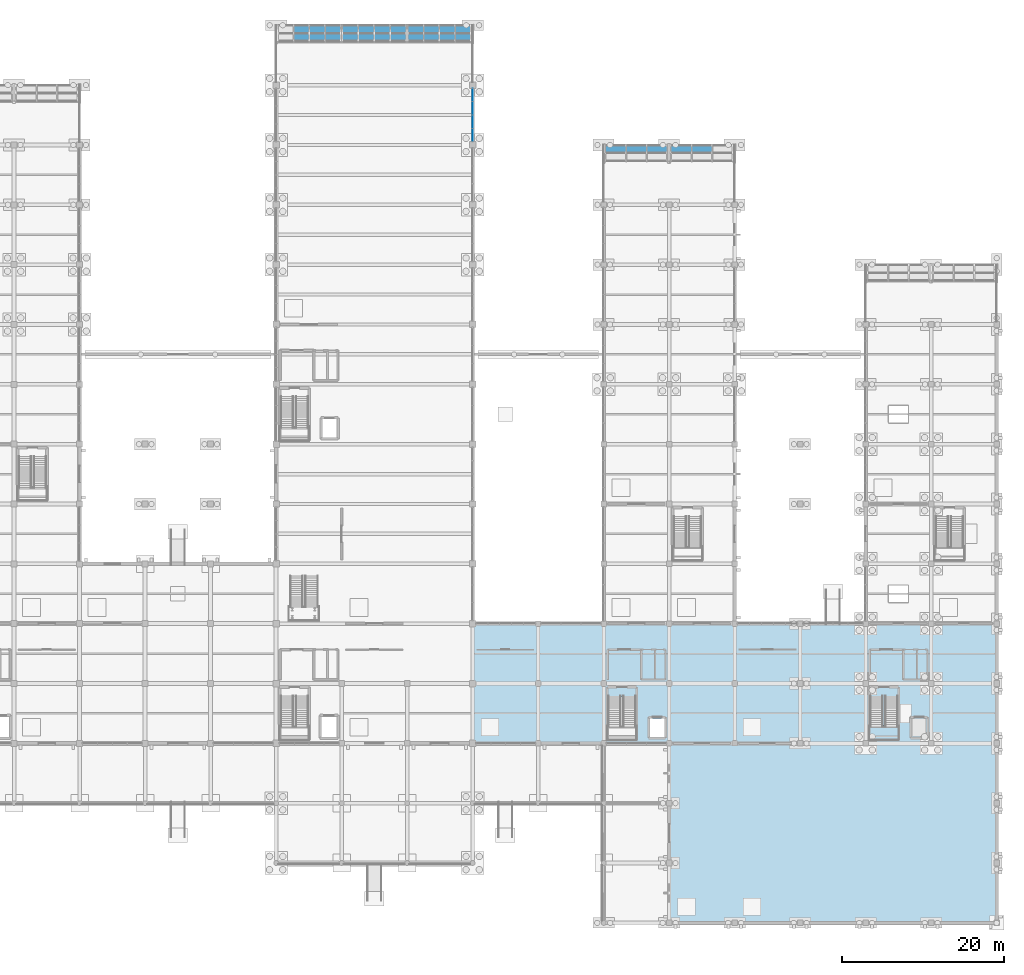
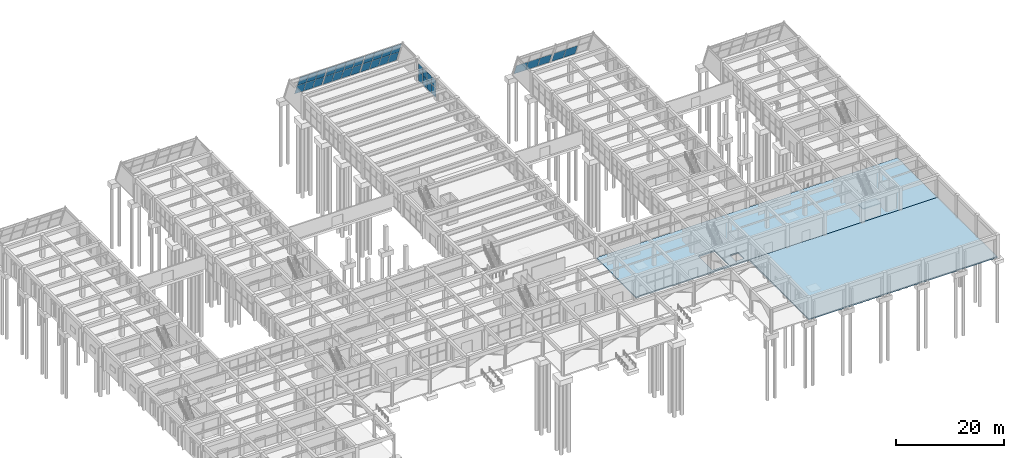
# One storey, part 118 of 140: 35 plates, 3 slabs, 7 elements without a shape of their own.
"""IFC4 building model written with IfcOpenShell, lengths in metres."""

from ifc_helpers import new_model, si_unit, direction, frame, origin, origin_2d, place, context, subcontext, project, spatial, polyline, rectangle, outline, extrude, material, layer, layer_set, type_object, element, aggregate, save


model = new_model("IFC4")

# Units and contexts
model_context = context("Model", 3, precision=1e-05, world=origin(), true_north=direction((0.0, 1.0)))
body_context = subcontext(model_context, "Body", "Model", "MODEL_VIEW")
ifc_project = project(units=[si_unit("LENGTHUNIT", "METRE"), si_unit("AREAUNIT", "SQUARE_METRE"), si_unit("VOLUMEUNIT", "CUBIC_METRE"), si_unit("PLANEANGLEUNIT", "RADIAN"), si_unit("MASSUNIT", "GRAM", prefix="KILO")], contexts=[model_context])

# Site, building, storey
site_placement = place(None, origin())
site = spatial("IfcSite", under=ifc_project, at=site_placement, CompositionType="ELEMENT")
building_placement = place(site_placement, origin())
building = spatial("IfcBuilding", under=site, at=building_placement, Name="Cimatlan Art Gallery", CompositionType="ELEMENT")
storey_placement = place(building_placement, origin())
storey = spatial("IfcBuildingStorey", under=building, at=storey_placement, Name="L00", CompositionType="ELEMENT", Elevation=0.0)

# Curtain wall, plates
ifc_material_1 = material(Name="Anodised bronze unitised curtain wall")
curtain_wall_type_1 = type_object("IfcCurtainWallType", Name="CW-V-06592X04133-B4", PredefinedType="NOTDEFINED", material=ifc_material_1)
curtain_wall_1_placement = place(storey_placement, origin())
curtain_wall_1 = element("IfcCurtainWall", 1, at=curtain_wall_1_placement, inside=storey, type_object=curtain_wall_type_1, Name="CW-L00-11-13-E", PredefinedType="NOTDEFINED")
ifc_material_2 = material(Name="Low-E insulated double glazing", Category="glass")
ifc_layer_1 = layer(ifc_material_2, 0.028076171875)
ifc_layer_set_1 = layer_set([ifc_layer_1], Name="Low-E insulated double glazing")
plate_type_1 = type_object("IfcPlateType", Name="PNL-1590X1635", PredefinedType="CURTAIN_PANEL", material=ifc_layer_set_1)
plate_1_placement = place(storey_placement, frame((99.199951171875, 104.072021484375, 2.37646484375), z_axis=(0.0, 0.0, 1.0), x_axis=(0.0, -1.0, 0.0)))
plate_1 = element("IfcPlate", 2, at=plate_1_placement, type_object=plate_type_1, Name="CW-L00-11-13-E-P12", PredefinedType="CURTAIN_PANEL", context=body_context, shape_type="SweptSolid", body=[
    extrude(rectangle(XDim=1.590087890625, YDim=0.028076171875, at=origin_2d()), origin(), (0.0, 0.0, 1.0), 1.635009765625),
])
plate_2_placement = place(storey_placement, frame((99.199951171875, 102.424072265625, 2.37646484375), z_axis=(0.0, 0.0, 1.0), x_axis=(0.0, -1.0, 0.0)))
plate_2 = element("IfcPlate", 3, at=plate_2_placement, type_object=plate_type_1, Name="CW-L00-11-13-E-P22", PredefinedType="CURTAIN_PANEL", context=body_context, shape_type="SweptSolid", body=[
    extrude(rectangle(XDim=1.590087890625, YDim=0.028076171875, at=origin_2d()), origin(), (0.0, 0.0, 1.0), 1.635009765625),
])
plate_3_placement = place(storey_placement, frame((99.199951171875, 100.77587890625, 2.37646484375), z_axis=(0.0, 0.0, 1.0), x_axis=(0.0, -1.0, 0.0)))
plate_3 = element("IfcPlate", 4, at=plate_3_placement, type_object=plate_type_1, Name="CW-L00-11-13-E-P32", PredefinedType="CURTAIN_PANEL", context=body_context, shape_type="SweptSolid", body=[
    extrude(rectangle(XDim=1.590087890625, YDim=0.028076171875, at=origin_2d()), origin(), (0.0, 0.0, 1.0), 1.635009765625),
])
plate_4_placement = place(storey_placement, frame((99.199951171875, 99.1279296875, 2.37646484375), z_axis=(0.0, 0.0, 1.0), x_axis=(0.0, -1.0, 0.0)))
plate_4 = element("IfcPlate", 5, at=plate_4_placement, type_object=plate_type_1, Name="CW-L00-11-13-E-P42", PredefinedType="CURTAIN_PANEL", context=body_context, shape_type="SweptSolid", body=[
    extrude(rectangle(XDim=1.590087890625, YDim=0.028076171875, at=origin_2d()), origin(), (0.0, 0.0, 1.0), 1.635009765625),
])
ifc_layer_2 = layer(ifc_material_2, 0.028076171875)
ifc_layer_set_2 = layer_set([ifc_layer_2], Name="Low-E insulated double glazing")
plate_type_2 = type_object("IfcPlateType", Name="PNL-1590X2131", PredefinedType="CURTAIN_PANEL", material=ifc_layer_set_2)
plate_5_placement = place(storey_placement, frame((99.199951171875, 104.072021484375, 0.12158203125), z_axis=(0.0, 0.0, 1.0), x_axis=(0.0, -1.0, 0.0)))
plate_5 = element("IfcPlate", 6, at=plate_5_placement, type_object=plate_type_2, Name="CW-L00-11-13-E-P11", PredefinedType="CURTAIN_PANEL", context=body_context, shape_type="SweptSolid", body=[
    extrude(rectangle(XDim=1.590087890625, YDim=0.028076171875, at=origin_2d()), origin(), (0.0, 0.0, 1.0), 2.131103515625),
])
plate_6_placement = place(storey_placement, frame((99.199951171875, 102.424072265625, 0.12158203125), z_axis=(0.0, 0.0, 1.0), x_axis=(0.0, -1.0, 0.0)))
plate_6 = element("IfcPlate", 7, at=plate_6_placement, type_object=plate_type_2, Name="CW-L00-11-13-E-P21", PredefinedType="CURTAIN_PANEL", context=body_context, shape_type="SweptSolid", body=[
    extrude(rectangle(XDim=1.590087890625, YDim=0.028076171875, at=origin_2d()), origin(), (0.0, 0.0, 1.0), 2.131103515625),
])
plate_7_placement = place(storey_placement, frame((99.199951171875, 100.77587890625, 0.12158203125), z_axis=(0.0, 0.0, 1.0), x_axis=(0.0, -1.0, 0.0)))
plate_7 = element("IfcPlate", 8, at=plate_7_placement, type_object=plate_type_2, Name="CW-L00-11-13-E-P31", PredefinedType="CURTAIN_PANEL", context=body_context, shape_type="SweptSolid", body=[
    extrude(rectangle(XDim=1.590087890625, YDim=0.028076171875, at=origin_2d()), origin(), (0.0, 0.0, 1.0), 2.131103515625),
])
plate_8_placement = place(storey_placement, frame((99.199951171875, 99.1279296875, 0.12158203125), z_axis=(0.0, 0.0, 1.0), x_axis=(0.0, -1.0, 0.0)))
plate_8 = element("IfcPlate", 9, at=plate_8_placement, type_object=plate_type_2, Name="CW-L00-11-13-E-P41", PredefinedType="CURTAIN_PANEL", context=body_context, shape_type="SweptSolid", body=[
    extrude(rectangle(XDim=1.590087890625, YDim=0.028076171875, at=origin_2d()), origin(), (0.0, 0.0, 1.0), 2.131103515625),
])
aggregate(curtain_wall_1, [plate_5, plate_1, plate_6, plate_2, plate_7, plate_3, plate_8, plate_4])

ifc_material_3 = material(Name="Raked steel-and-bronze lancet curtain wall", Category="steel")
curtain_wall_type_2 = type_object("IfcCurtainWallType", Name="CW-RAK-07790X05503-B4", PredefinedType="NOTDEFINED", material=ifc_material_3)
curtain_wall_2_placement = place(storey_placement, origin())
curtain_wall_2 = element("IfcCurtainWall", 10, at=curtain_wall_2_placement, inside=storey, type_object=curtain_wall_type_2, Name="CW-PROW-L00-B3-9", PredefinedType="NOTDEFINED")
ifc_material_4 = material(Name="Low-E laminated skylight safety glazing", Category="glass")
ifc_layer_3 = layer(ifc_material_4, 0.031982421875)
ifc_layer_set_3 = layer_set([ifc_layer_3], Name="Low-E laminated skylight safety glazing")
plate_type_3 = type_object("IfcPlateType", Name="PNL-RAK-1907X2641", PredefinedType="CURTAIN_PANEL", material=ifc_layer_set_3)
plate_9_placement = place(storey_placement, frame((77.087890625, 112.669677734375, 0.076904296875), z_axis=(0.0, 0.930420809623, 0.366492997234), x_axis=(1.0, 0.0, 0.0)))
plate_9 = element("IfcPlate", 11, at=plate_9_placement, type_object=plate_type_3, Name="CW-PROW-L00-B3-9-P21", PredefinedType="CURTAIN_PANEL", context=body_context, shape_type="SweptSolid", body=[
    extrude(outline(polyline([(0.0, 0.0), (1.906982421875, 0.0), (1.906982421875, -2.641298975510764), (0.0, -2.641298975510764), (0.0, 0.0)])), origin(), (0.0, 0.0, -1.0), 0.031982421875),
])
plate_10_placement = place(storey_placement, frame((77.087890625, 111.681396484375, 2.585693359375), z_axis=(0.0, 0.930420809623, 0.366492997234), x_axis=(1.0, 0.0, 0.0)))
plate_10 = element("IfcPlate", 12, at=plate_10_placement, type_object=plate_type_3, Name="CW-PROW-L00-B3-9-P22", PredefinedType="CURTAIN_PANEL", context=body_context, shape_type="SweptSolid", body=[
    extrude(outline(polyline([(0.0, 0.0), (1.906982421875, 0.0), (1.906982421875, -2.641298975510764), (0.0, -2.641298975510764), (0.0, 0.0)])), origin(), (0.0, 0.0, -1.0), 0.031982421875),
])
plate_11_placement = place(storey_placement, frame((79.035400390625, 112.669677734375, 0.076904296875), z_axis=(0.0, 0.930420809623, 0.366492997234), x_axis=(1.0, 0.0, 0.0)))
plate_11 = element("IfcPlate", 13, at=plate_11_placement, type_object=plate_type_3, Name="CW-PROW-L00-B3-9-P31", PredefinedType="CURTAIN_PANEL", context=body_context, shape_type="SweptSolid", body=[
    extrude(outline(polyline([(0.0, 0.0), (1.906982421875, 0.0), (1.906982421875, -2.641298975510764), (0.0, -2.641298975510764), (0.0, 0.0)])), origin(), (0.0, 0.0, -1.0), 0.031982421875),
])
plate_12_placement = place(storey_placement, frame((79.035400390625, 111.681396484375, 2.585693359375), z_axis=(0.0, 0.930420809623, 0.366492997234), x_axis=(1.0, 0.0, 0.0)))
plate_12 = element("IfcPlate", 14, at=plate_12_placement, type_object=plate_type_3, Name="CW-PROW-L00-B3-9-P32", PredefinedType="CURTAIN_PANEL", context=body_context, shape_type="SweptSolid", body=[
    extrude(outline(polyline([(0.0, 0.0), (1.906982421875, 0.0), (1.906982421875, -2.641298975510764), (0.0, -2.641298975510764), (0.0, 0.0)])), origin(), (0.0, 0.0, -1.0), 0.031982421875),
])
plate_13_placement = place(storey_placement, frame((80.98291015625, 112.669677734375, 0.076904296875), z_axis=(0.0, 0.930420809623, 0.366492997234), x_axis=(1.0, 0.0, 0.0)))
plate_13 = element("IfcPlate", 15, at=plate_13_placement, type_object=plate_type_3, Name="CW-PROW-L00-B3-9-P41", PredefinedType="CURTAIN_PANEL", context=body_context, shape_type="SweptSolid", body=[
    extrude(outline(polyline([(0.0, 0.0), (1.906982421875, 0.0), (1.906982421875, -2.641298975510764), (0.0, -2.641298975510764), (0.0, 0.0)])), origin(), (0.0, 0.0, -1.0), 0.031982421875),
])
plate_14_placement = place(storey_placement, frame((80.98291015625, 111.681396484375, 2.585693359375), z_axis=(0.0, 0.930420809623, 0.366492997234), x_axis=(1.0, 0.0, 0.0)))
plate_14 = element("IfcPlate", 16, at=plate_14_placement, type_object=plate_type_3, Name="CW-PROW-L00-B3-9-P42", PredefinedType="CURTAIN_PANEL", context=body_context, shape_type="SweptSolid", body=[
    extrude(outline(polyline([(0.0, 0.0), (1.906982421875, 0.0), (1.906982421875, -2.641298975510764), (0.0, -2.641298975510764), (0.0, 0.0)])), origin(), (0.0, 0.0, -1.0), 0.031982421875),
])
aggregate(curtain_wall_2, [plate_9, plate_10, plate_11, plate_12, plate_13, plate_14])

curtain_wall_3_placement = place(storey_placement, origin())
curtain_wall_3 = element("IfcCurtainWall", 17, at=curtain_wall_3_placement, inside=storey, type_object=curtain_wall_type_2, Name="CW-PROW-L00-B3-11", PredefinedType="NOTDEFINED")
plate_15_placement = place(storey_placement, frame((91.210205078125, 112.669677734375, 0.076904296875), z_axis=(0.0, 0.930420809623, 0.366492997234), x_axis=(1.0, 0.0, 0.0)))
plate_15 = element("IfcPlate", 18, at=plate_15_placement, type_object=plate_type_3, Name="CW-PROW-L00-B3-11-P11", PredefinedType="CURTAIN_PANEL", context=body_context, shape_type="SweptSolid", body=[
    extrude(outline(polyline([(0.0, 0.0), (1.906982421875, 0.0), (1.906982421875, -2.641298975510764), (0.0, -2.641298975510764), (0.0, 0.0)])), origin(), (0.0, 0.0, -1.0), 0.031982421875),
])
plate_16_placement = place(storey_placement, frame((91.210205078125, 111.681396484375, 2.585693359375), z_axis=(0.0, 0.930420809623, 0.366492997234), x_axis=(1.0, 0.0, 0.0)))
plate_16 = element("IfcPlate", 19, at=plate_16_placement, type_object=plate_type_3, Name="CW-PROW-L00-B3-11-P12", PredefinedType="CURTAIN_PANEL", context=body_context, shape_type="SweptSolid", body=[
    extrude(outline(polyline([(0.0, 0.0), (1.906982421875, 0.0), (1.906982421875, -2.641298975510764), (0.0, -2.641298975510764), (0.0, 0.0)])), origin(), (0.0, 0.0, -1.0), 0.031982421875),
])
plate_17_placement = place(storey_placement, frame((93.15771484375, 112.669677734375, 0.076904296875), z_axis=(0.0, 0.930420809623, 0.366492997234), x_axis=(1.0, 0.0, 0.0)))
plate_17 = element("IfcPlate", 20, at=plate_17_placement, type_object=plate_type_3, Name="CW-PROW-L00-B3-11-P21", PredefinedType="CURTAIN_PANEL", context=body_context, shape_type="SweptSolid", body=[
    extrude(outline(polyline([(0.0, 0.0), (1.906982421875, 0.0), (1.906982421875, -2.641298975510764), (0.0, -2.641298975510764), (0.0, 0.0)])), origin(), (0.0, 0.0, -1.0), 0.031982421875),
])
plate_18_placement = place(storey_placement, frame((93.15771484375, 111.681396484375, 2.585693359375), z_axis=(0.0, 0.930420809623, 0.366492997234), x_axis=(1.0, 0.0, 0.0)))
plate_18 = element("IfcPlate", 21, at=plate_18_placement, type_object=plate_type_3, Name="CW-PROW-L00-B3-11-P22", PredefinedType="CURTAIN_PANEL", context=body_context, shape_type="SweptSolid", body=[
    extrude(outline(polyline([(0.0, 0.0), (1.906982421875, 0.0), (1.906982421875, -2.641298975510764), (0.0, -2.641298975510764), (0.0, 0.0)])), origin(), (0.0, 0.0, -1.0), 0.031982421875),
])
plate_19_placement = place(storey_placement, frame((95.105224609375, 112.669677734375, 0.076904296875), z_axis=(0.0, 0.930420809623, 0.366492997234), x_axis=(1.0, 0.0, 0.0)))
plate_19 = element("IfcPlate", 22, at=plate_19_placement, type_object=plate_type_3, Name="CW-PROW-L00-B3-11-P31", PredefinedType="CURTAIN_PANEL", context=body_context, shape_type="SweptSolid", body=[
    extrude(outline(polyline([(0.0, 0.0), (1.906982421875, 0.0), (1.906982421875, -2.641298975510764), (0.0, -2.641298975510764), (0.0, 0.0)])), origin(), (0.0, 0.0, -1.0), 0.031982421875),
])
plate_20_placement = place(storey_placement, frame((95.105224609375, 111.681396484375, 2.585693359375), z_axis=(0.0, 0.930420809623, 0.366492997234), x_axis=(1.0, 0.0, 0.0)))
plate_20 = element("IfcPlate", 23, at=plate_20_placement, type_object=plate_type_3, Name="CW-PROW-L00-B3-11-P32", PredefinedType="CURTAIN_PANEL", context=body_context, shape_type="SweptSolid", body=[
    extrude(outline(polyline([(0.0, 0.0), (1.906982421875, 0.0), (1.906982421875, -2.641298975510764), (0.0, -2.641298975510764), (0.0, 0.0)])), origin(), (0.0, 0.0, -1.0), 0.031982421875),
])
plate_21_placement = place(storey_placement, frame((97.052734375, 112.669677734375, 0.076904296875), z_axis=(0.0, 0.930420809623, 0.366492997234), x_axis=(1.0, 0.0, 0.0)))
plate_21 = element("IfcPlate", 24, at=plate_21_placement, type_object=plate_type_3, Name="CW-PROW-L00-B3-11-P41", PredefinedType="CURTAIN_PANEL", context=body_context, shape_type="SweptSolid", body=[
    extrude(outline(polyline([(0.0, 0.0), (1.906982421875, 0.0), (1.906982421875, -2.641298975510764), (0.0, -2.641298975510764), (0.0, 0.0)])), origin(), (0.0, 0.0, -1.0), 0.031982421875),
])
plate_22_placement = place(storey_placement, frame((97.052734375, 111.681396484375, 2.585693359375), z_axis=(0.0, 0.930420809623, 0.366492997234), x_axis=(1.0, 0.0, 0.0)))
plate_22 = element("IfcPlate", 25, at=plate_22_placement, type_object=plate_type_3, Name="CW-PROW-L00-B3-11-P42", PredefinedType="CURTAIN_PANEL", context=body_context, shape_type="SweptSolid", body=[
    extrude(outline(polyline([(0.0, 0.0), (1.906982421875, 0.0), (1.906982421875, -2.641298975510764), (0.0, -2.641298975510764), (0.0, 0.0)])), origin(), (0.0, 0.0, -1.0), 0.031982421875),
])
aggregate(curtain_wall_3, [plate_15, plate_16, plate_17, plate_18, plate_19, plate_20, plate_21, plate_22])

curtain_wall_type_3 = type_object("IfcCurtainWallType", Name="CW-RAK-07920X05503-B4", PredefinedType="NOTDEFINED", material=ifc_material_3)
curtain_wall_4_placement = place(storey_placement, origin())
curtain_wall_4 = element("IfcCurtainWall", 26, at=curtain_wall_4_placement, inside=storey, type_object=curtain_wall_type_3, Name="CW-PROW-L00-B3-10", PredefinedType="NOTDEFINED")
ifc_layer_4 = layer(ifc_material_4, 0.031982421875)
ifc_layer_set_4 = layer_set([ifc_layer_4], Name="Low-E laminated skylight safety glazing")
plate_type_4 = type_object("IfcPlateType", Name="PNL-RAK-1940X2641", PredefinedType="CURTAIN_PANEL", material=ifc_layer_set_4)
plate_23_placement = place(storey_placement, frame((83.110107421875, 112.669677734375, 0.076904296875), z_axis=(0.0, 0.930420809623, 0.366492997234), x_axis=(1.0, 0.0, 0.0)))
plate_23 = element("IfcPlate", 27, at=plate_23_placement, type_object=plate_type_4, Name="CW-PROW-L00-B3-10-P11", PredefinedType="CURTAIN_PANEL", context=body_context, shape_type="SweptSolid", body=[
    extrude(outline(polyline([(0.0, 0.0), (1.93994140625, 0.0), (1.93994140625, -2.6412989755107636), (0.0, -2.6412989755107636), (0.0, 0.0)])), origin(), (0.0, 0.0, -1.0), 0.031982421875),
])
plate_24_placement = place(storey_placement, frame((83.110107421875, 111.681396484375, 2.585693359375), z_axis=(0.0, 0.930420809623, 0.366492997234), x_axis=(1.0, 0.0, 0.0)))
plate_24 = element("IfcPlate", 28, at=plate_24_placement, type_object=plate_type_4, Name="CW-PROW-L00-B3-10-P12", PredefinedType="CURTAIN_PANEL", context=body_context, shape_type="SweptSolid", body=[
    extrude(outline(polyline([(0.0, 0.0), (1.93994140625, 0.0), (1.93994140625, -2.6412989755107636), (0.0, -2.6412989755107636), (0.0, 0.0)])), origin(), (0.0, 0.0, -1.0), 0.031982421875),
])
plate_25_placement = place(storey_placement, frame((85.090087890625, 112.669677734375, 0.076904296875), z_axis=(0.0, 0.930420809623, 0.366492997234), x_axis=(1.0, 0.0, 0.0)))
plate_25 = element("IfcPlate", 29, at=plate_25_placement, type_object=plate_type_4, Name="CW-PROW-L00-B3-10-P21", PredefinedType="CURTAIN_PANEL", context=body_context, shape_type="SweptSolid", body=[
    extrude(outline(polyline([(0.0, 0.0), (1.93994140625, 0.0), (1.93994140625, -2.6412989755107636), (0.0, -2.6412989755107636), (0.0, 0.0)])), origin(), (0.0, 0.0, -1.0), 0.031982421875),
])
plate_26_placement = place(storey_placement, frame((85.090087890625, 111.681396484375, 2.585693359375), z_axis=(0.0, 0.930420809623, 0.366492997234), x_axis=(1.0, 0.0, 0.0)))
plate_26 = element("IfcPlate", 30, at=plate_26_placement, type_object=plate_type_4, Name="CW-PROW-L00-B3-10-P22", PredefinedType="CURTAIN_PANEL", context=body_context, shape_type="SweptSolid", body=[
    extrude(outline(polyline([(0.0, 0.0), (1.93994140625, 0.0), (1.93994140625, -2.6412989755107636), (0.0, -2.6412989755107636), (0.0, 0.0)])), origin(), (0.0, 0.0, -1.0), 0.031982421875),
])
plate_27_placement = place(storey_placement, frame((87.070068359375, 112.669677734375, 0.076904296875), z_axis=(0.0, 0.930420809623, 0.366492997234), x_axis=(1.0, 0.0, 0.0)))
plate_27 = element("IfcPlate", 31, at=plate_27_placement, type_object=plate_type_4, Name="CW-PROW-L00-B3-10-P31", PredefinedType="CURTAIN_PANEL", context=body_context, shape_type="SweptSolid", body=[
    extrude(outline(polyline([(0.0, 0.0), (1.93994140625, 0.0), (1.93994140625, -2.6412989755107636), (0.0, -2.6412989755107636), (0.0, 0.0)])), origin(), (0.0, 0.0, -1.0), 0.031982421875),
])
plate_28_placement = place(storey_placement, frame((87.070068359375, 111.681396484375, 2.585693359375), z_axis=(0.0, 0.930420809623, 0.366492997234), x_axis=(1.0, 0.0, 0.0)))
plate_28 = element("IfcPlate", 32, at=plate_28_placement, type_object=plate_type_4, Name="CW-PROW-L00-B3-10-P32", PredefinedType="CURTAIN_PANEL", context=body_context, shape_type="SweptSolid", body=[
    extrude(outline(polyline([(0.0, 0.0), (1.93994140625, 0.0), (1.93994140625, -2.6412989755107636), (0.0, -2.6412989755107636), (0.0, 0.0)])), origin(), (0.0, 0.0, -1.0), 0.031982421875),
])
plate_29_placement = place(storey_placement, frame((89.050048828125, 112.669677734375, 0.076904296875), z_axis=(0.0, 0.930420809623, 0.366492997234), x_axis=(1.0, 0.0, 0.0)))
plate_29 = element("IfcPlate", 33, at=plate_29_placement, type_object=plate_type_4, Name="CW-PROW-L00-B3-10-P41", PredefinedType="CURTAIN_PANEL", context=body_context, shape_type="SweptSolid", body=[
    extrude(outline(polyline([(0.0, 0.0), (1.93994140625, 0.0), (1.93994140625, -2.6412989755107636), (0.0, -2.6412989755107636), (0.0, 0.0)])), origin(), (0.0, 0.0, -1.0), 0.031982421875),
])
plate_30_placement = place(storey_placement, frame((89.050048828125, 111.681396484375, 2.585693359375), z_axis=(0.0, 0.930420809623, 0.366492997234), x_axis=(1.0, 0.0, 0.0)))
plate_30 = element("IfcPlate", 34, at=plate_30_placement, type_object=plate_type_4, Name="CW-PROW-L00-B3-10-P42", PredefinedType="CURTAIN_PANEL", context=body_context, shape_type="SweptSolid", body=[
    extrude(outline(polyline([(0.0, 0.0), (1.93994140625, 0.0), (1.93994140625, -2.6412989755107636), (0.0, -2.6412989755107636), (0.0, 0.0)])), origin(), (0.0, 0.0, -1.0), 0.031982421875),
])
aggregate(curtain_wall_4, [plate_23, plate_24, plate_25, plate_26, plate_27, plate_28, plate_29, plate_30])

curtain_wall_type_4 = type_object("IfcCurtainWallType", Name="CW-RAK-07660X05503-B3", PredefinedType="NOTDEFINED", material=ifc_material_3)
curtain_wall_5_placement = place(storey_placement, origin())
curtain_wall_5 = element("IfcCurtainWall", 35, at=curtain_wall_5_placement, inside=storey, type_object=curtain_wall_type_4, Name="CW-PROW-L00-B4-14", PredefinedType="NOTDEFINED")
ifc_layer_5 = layer(ifc_material_4, 0.031982421875)
ifc_layer_set_5 = layer_set([ifc_layer_5], Name="Low-E laminated skylight safety glazing")
plate_type_5 = type_object("IfcPlateType", Name="PNL-RAK-2513X2641", PredefinedType="CURTAIN_PANEL", material=ifc_layer_set_5)
plate_31_placement = place(storey_placement, frame((115.64013671875, 97.86962890625, 0.076904296875), z_axis=(0.0, 0.930420809623, 0.366492997234), x_axis=(1.0, 0.0, 0.0)))
plate_31 = element("IfcPlate", 36, at=plate_31_placement, type_object=plate_type_5, Name="CW-PROW-L00-B4-14-P11", PredefinedType="CURTAIN_PANEL", context=body_context, shape_type="SweptSolid", body=[
    extrude(outline(polyline([(0.0, 0.0), (2.51318359375, 0.0), (2.51318359375, -2.641298975510764), (0.0, -2.641298975510764), (0.0, 0.0)])), origin(), (0.0, 0.0, -1.0), 0.031982421875),
])
plate_32_placement = place(storey_placement, frame((118.193603515625, 97.86962890625, 0.076904296875), z_axis=(0.0, 0.930420809623, 0.366492997234), x_axis=(1.0, 0.0, 0.0)))
plate_32 = element("IfcPlate", 37, at=plate_32_placement, type_object=plate_type_5, Name="CW-PROW-L00-B4-14-P21", PredefinedType="CURTAIN_PANEL", context=body_context, shape_type="SweptSolid", body=[
    extrude(outline(polyline([(0.0, 0.0), (2.512939453125, 0.0), (2.512939453125, -2.641298975510764), (0.0, -2.641298975510764), (0.0, 0.0)])), origin(), (0.0, 0.0, -1.0), 0.031982421875),
])
plate_33_placement = place(storey_placement, frame((120.746826171875, 97.86962890625, 0.076904296875), z_axis=(0.0, 0.930420809623, 0.366492997234), x_axis=(1.0, 0.0, 0.0)))
plate_33 = element("IfcPlate", 38, at=plate_33_placement, type_object=plate_type_5, Name="CW-PROW-L00-B4-14-P31", PredefinedType="CURTAIN_PANEL", context=body_context, shape_type="SweptSolid", body=[
    extrude(outline(polyline([(0.0, 0.0), (2.512939453125, 0.0), (2.512939453125, -2.641298975510764), (0.0, -2.641298975510764), (0.0, 0.0)])), origin(), (0.0, 0.0, -1.0), 0.031982421875),
])
aggregate(curtain_wall_5, [plate_31, plate_32, plate_33])

curtain_wall_6_placement = place(storey_placement, origin())
curtain_wall_6 = element("IfcCurtainWall", 39, at=curtain_wall_6_placement, inside=storey, type_object=curtain_wall_type_4, Name="CW-PROW-L00-B4-15", PredefinedType="NOTDEFINED")
plate_34_placement = place(storey_placement, frame((123.740234375, 97.86962890625, 0.076904296875), z_axis=(0.0, 0.930420809623, 0.366492997234), x_axis=(1.0, 0.0, 0.0)))
plate_34 = element("IfcPlate", 40, at=plate_34_placement, type_object=plate_type_5, Name="CW-PROW-L00-B4-15-P11", PredefinedType="CURTAIN_PANEL", context=body_context, shape_type="SweptSolid", body=[
    extrude(outline(polyline([(0.0, 0.0), (2.512939453125, 0.0), (2.512939453125, -2.641298975510764), (0.0, -2.641298975510764), (0.0, 0.0)])), origin(), (0.0, 0.0, -1.0), 0.031982421875),
])
plate_35_placement = place(storey_placement, frame((126.29345703125, 97.86962890625, 0.076904296875), z_axis=(0.0, 0.930420809623, 0.366492997234), x_axis=(1.0, 0.0, 0.0)))
plate_35 = element("IfcPlate", 41, at=plate_35_placement, type_object=plate_type_5, Name="CW-PROW-L00-B4-15-P21", PredefinedType="CURTAIN_PANEL", context=body_context, shape_type="SweptSolid", body=[
    extrude(outline(polyline([(0.0, 0.0), (2.512939453125, 0.0), (2.512939453125, -2.641298975510764), (0.0, -2.641298975510764), (0.0, 0.0)])), origin(), (0.0, 0.0, -1.0), 0.031982421875),
])
aggregate(curtain_wall_6, [plate_34, plate_35])

# Slabs
ifc_material_5 = material(Name="Concrete C35/45", Category="concrete")
ifc_layer_6 = layer(ifc_material_5, 0.280029296875)
ifc_layer_set_6 = layer_set([ifc_layer_6], Name="Concrete C35/45")
slab_type_1 = type_object("IfcSlabType", Name="SLB-FLR-L00", PredefinedType="FLOOR", material=ifc_layer_set_6)
slab_1_placement = place(storey_placement, frame((0.0, 0.0, -0.280029296875)))
element("IfcSlab", 42, at=slab_1_placement, inside=storey, type_object=slab_type_1, Name="SLB-L00-SPE", PredefinedType="FLOOR", context=body_context, shape_type="SweptSolid", body=[
    extrude(outline(polyline([(99.199951171875, 23.89990234375), (164.0, 23.89990234375), (164.0, 38.699951171875), (99.199951171875, 38.699951171875), (99.199951171875, 23.89990234375)]), holes=[polyline([(115.89990234375, 24.419921875), (119.419921875, 24.419921875), (119.419921875, 29.64990234375), (115.89990234375, 29.64990234375), (115.89990234375, 24.419921875)]), polyline([(121.110107421875, 24.7099609375), (122.889892578125, 24.7099609375), (122.889892578125, 26.989990234375), (121.110107421875, 26.989990234375), (121.110107421875, 24.7099609375)])]), origin(), (0.0, 0.0, 1.0), 0.280029296875),
])
slab_2_placement = place(storey_placement, frame((0.0, 0.0, -0.280029296875)))
element("IfcSlab", 43, at=slab_2_placement, inside=storey, type_object=slab_type_1, Name="SLB-L00-AUD", PredefinedType="FLOOR", context=body_context, shape_type="SweptSolid", body=[
    extrude(outline(polyline([(123.5, 1.699951171875), (164.0, 1.699951171875), (164.0, 23.89990234375), (123.5, 23.89990234375), (123.5, 1.699951171875)])), origin(), (0.0, 0.0, 1.0), 0.280029296875),
])

# Stair, slab
stair_type = type_object("IfcStairType", Name="STR-HALF-155-540", PredefinedType="HALF_TURN_STAIR", material=ifc_material_5)
stair_placement = place(storey_placement, origin())
stair = element("IfcStair", 44, at=stair_placement, inside=storey, type_object=stair_type, Name="STR-C5-L00", PredefinedType="HALF_TURN_STAIR")
ifc_layer_7 = layer(ifc_material_5, 0.219970703125)
ifc_layer_set_7 = layer_set([ifc_layer_7], Name="Concrete C35/45")
slab_type_2 = type_object("IfcSlabType", Name="SLB-STAIR-LAND-220", PredefinedType="LANDING", material=ifc_layer_set_7)
slab_3_placement = place(storey_placement, frame((0.0, 0.0, 2.47998046875)))
slab_3 = element("IfcSlab", 45, at=slab_3_placement, type_object=slab_type_2, Name="STR-C5-L00-LND", PredefinedType="LANDING", context=body_context, shape_type="SweptSolid", body=[
    extrude(outline(polyline([(148.14990234375, 24.25), (151.93994140625, 24.25), (151.93994140625, 26.10498046875), (148.14990234375, 26.10498046875), (148.14990234375, 24.25)])), origin(), (0.0, 0.0, 1.0), 0.219970703125),
])
aggregate(stair, [slab_3])

save(model, "model.ifc")
